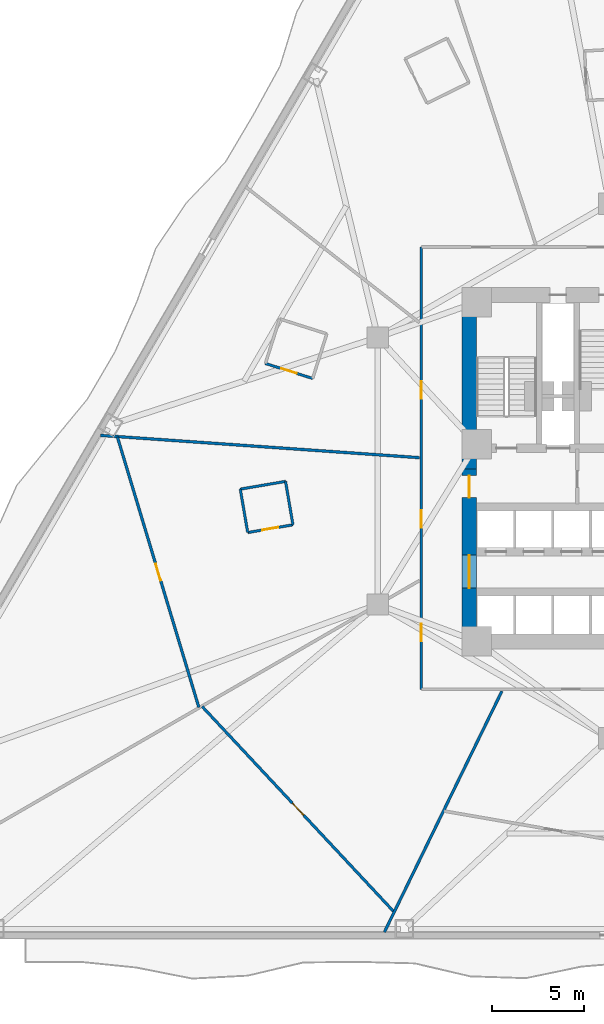
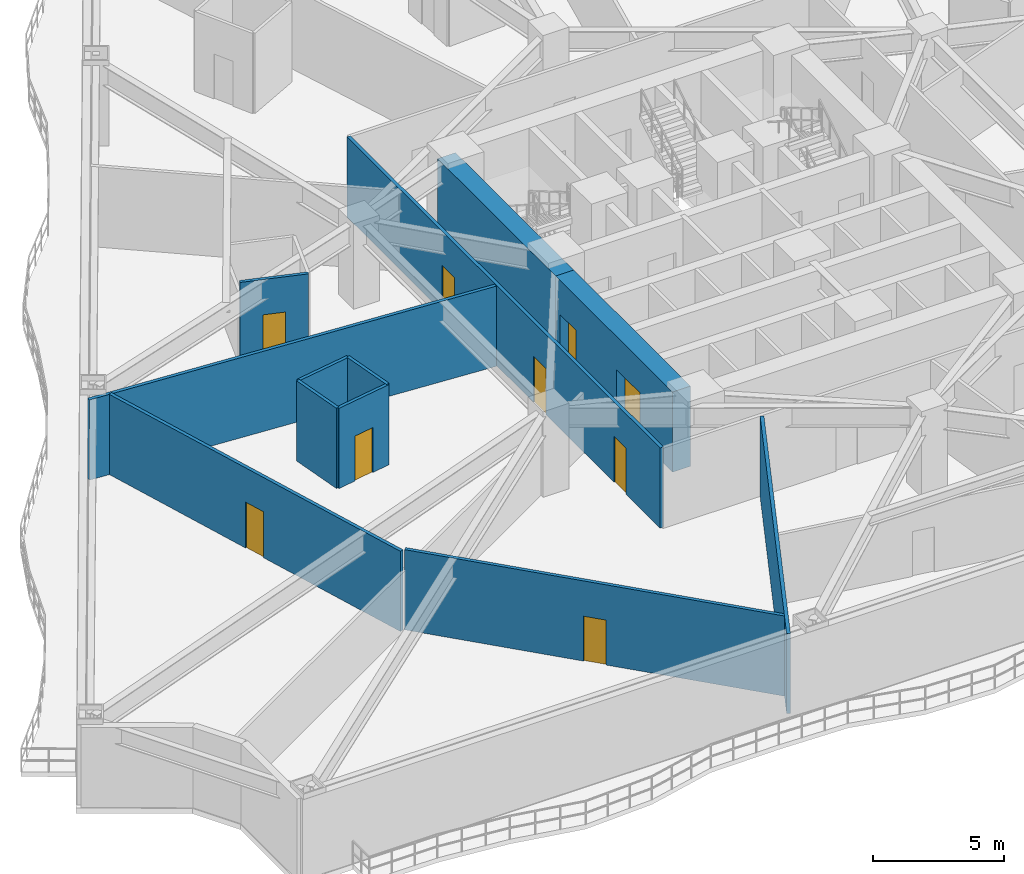
# One storey, part 3 of 12: 12 walls, 9 doors, 9 openings.
"""IFC4 building model written with IfcOpenShell, lengths in metres."""

import ifcopenshell
import ifcopenshell.guid

model = None  # the IFC model being written
_history = None  # IfcOwnerHistory: only IFC2X3 demands one
_inside = {}  # id of a spatial element -> (the spatial element, [elements in it])
_under = {}  # id of a project, library or spatial element -> (it, [spatial elements below it])
_declared = {}  # id of a project -> (the project, [libraries it declares])
_typed = {}  # id of a type object -> (the type object, [elements of that type])
_made_of = {}  # id of a material, layer set ... -> (it, [elements and type objects made of it])


def new_model(schema):
    """Start an empty IFC model of exactly this schema.

    Asked for "IFC4X3", IfcOpenShell would pick the latest addendum, in which some entities
    have other attributes; the version numbers below select the first issue.
    IFC2X3 requires an IfcOwnerHistory on every rooted entity: one is made here for all.
    """
    global model, _history
    if schema == "IFC4X3":
        model = ifcopenshell.file(schema_version=(4, 3, 0, 0))
    else:
        model = ifcopenshell.file(schema=schema)
    _inside.clear()
    _under.clear()
    _declared.clear()
    _typed.clear()
    _made_of.clear()
    _history = None
    if model.schema == "IFC2X3":
        org = make("IfcOrganization", Name="unknown")
        user = make(
            "IfcPersonAndOrganization",
            ThePerson=make("IfcPerson", FamilyName="unknown"),
            TheOrganization=org,
        )
        app = make(
            "IfcApplication",
            ApplicationDeveloper=org,
            Version="unknown",
            ApplicationFullName="unknown",
            ApplicationIdentifier="unknown",
        )
        _history = make(
            "IfcOwnerHistory",
            OwningUser=user,
            OwningApplication=app,
            ChangeAction="ADDED",
            CreationDate=0,
        )
    return model


def make(cls, **values):
    """One entity of the class cls with the attributes given. An attribute that is None is left unset."""
    return model.create_entity(
        cls, **{name: value for name, value in values.items() if value is not None}
    )


def rooted(cls, **values):
    """An entity with a GlobalId (a new one), such as an element, a storey or a relation."""
    return make(cls, GlobalId=ifcopenshell.guid.new(), OwnerHistory=_history, **values)


def si_unit(unit_type, name, prefix=None):
    """IfcSIUnit, for example si_unit("LENGTHUNIT", "METRE", prefix="MILLI")."""
    return make("IfcSIUnit", UnitType=unit_type, Prefix=prefix, Name=name)


def assignment(units):
    """IfcUnitAssignment: the units of a project."""
    return None if units is None else make("IfcUnitAssignment", Units=units)


def point(xyz):
    """IfcCartesianPoint."""
    return None if xyz is None else make("IfcCartesianPoint", Coordinates=xyz)


def direction(xyz):
    """IfcDirection."""
    return None if xyz is None else make("IfcDirection", DirectionRatios=xyz)


def frame(location, z_axis=None, x_axis=None):
    """IfcAxis2Placement3D, a coordinate frame: its origin and axes. An axis left out is left unset."""
    return make(
        "IfcAxis2Placement3D",
        Location=point(location),
        Axis=direction(z_axis),
        RefDirection=direction(x_axis),
    )


def frame_2d(location, x_axis=None):
    """IfcAxis2Placement2D, a coordinate frame in the plane: its origin and x axis."""
    return make(
        "IfcAxis2Placement2D", Location=point(location), RefDirection=direction(x_axis)
    )


def origin():
    """The frame at (0, 0, 0) with its axes left unset."""
    return frame((0.0, 0.0, 0.0))


def place(relative_to, where):
    """IfcLocalPlacement: puts the frame where relative to a parent placement (None: the world)."""
    return make(
        "IfcLocalPlacement", PlacementRelTo=relative_to, RelativePlacement=where
    )


def context(
    kind, dimensions, precision=None, world=None, true_north=None, identifier=None
):
    """IfcGeometricRepresentationContext, for example the 3D "Model" context."""
    return make(
        "IfcGeometricRepresentationContext",
        ContextIdentifier=identifier,
        ContextType=kind,
        CoordinateSpaceDimension=dimensions,
        Precision=precision,
        WorldCoordinateSystem=world,
        TrueNorth=true_north,
    )


def subcontext(parent, identifier, kind, view, scale=None):
    """IfcGeometricRepresentationSubContext, for example "Body" below "Model"."""
    return make(
        "IfcGeometricRepresentationSubContext",
        ContextIdentifier=identifier,
        ContextType=kind,
        ParentContext=parent,
        TargetScale=scale,
        TargetView=view,
    )


def project(units=None, contexts=None):
    """IfcProject with its units and contexts."""
    return rooted(
        "IfcProject",
        Name="project",
        RepresentationContexts=contexts,
        UnitsInContext=assignment(units),
    )


def spatial(cls, under=None, at=None, **own):
    """A site, building, storey or space (cls), placed at a placement, below another one or the project."""
    s = rooted(cls, ObjectPlacement=at, **own)
    if under is not None:
        _under.setdefault(under.id(), (under, []))[1].append(s)
    return s


def profile(cls, at=None, kind="AREA", **sizes):
    """A parametric profile (cls). Its sizes go by their IFC names, for example OverallWidth=200.0."""
    return make(cls, ProfileType=kind, Position=at, **sizes)


def rectangle(**sizes):
    """IfcRectangleProfileDef."""
    return profile("IfcRectangleProfileDef", **sizes)


def extrude(swept, where, along, depth):
    """IfcExtrudedAreaSolid: the profile swept, set in the frame where, extruded along a direction by depth."""
    return make(
        "IfcExtrudedAreaSolid",
        SweptArea=swept,
        Position=where,
        ExtrudedDirection=direction(along),
        Depth=depth,
    )


def shape(context_of_items, identifier, shape_type, items):
    """IfcShapeRepresentation: the items that make up one representation, for example the "Body"."""
    return make(
        "IfcShapeRepresentation",
        ContextOfItems=context_of_items,
        RepresentationIdentifier=identifier,
        RepresentationType=shape_type,
        Items=items,
    )


def material(Name=None, Category=None):
    """IfcMaterial."""
    return make("IfcMaterial", Name=Name, Category=Category)


def layer(
    of_material, thickness, ventilated=None, Name=None, Category=None, Priority=None
):
    """IfcMaterialLayer: one layer of a wall or slab, of a material (None: an air gap)."""
    return make(
        "IfcMaterialLayer",
        Material=of_material,
        LayerThickness=thickness,
        IsVentilated=ventilated,
        Name=Name,
        Category=Category,
        Priority=Priority,
    )


def layer_set(layers, Name=None):
    """IfcMaterialLayerSet."""
    return make("IfcMaterialLayerSet", MaterialLayers=layers, LayerSetName=Name)


def made_of(thing, what):
    """Note that an element or type object is made of a material, layer set ...; save() writes the relation."""
    if what is not None:
        _made_of.setdefault(what.id(), (what, []))[1].append(thing)
    return thing


def type_object(cls, material=None, **own):
    """A type object (cls), such as IfcWallType, which elements share."""
    return made_of(rooted(cls, **own), material)


def element(
    cls,
    number,
    at=None,
    inside=None,
    cuts=None,
    type_object=None,
    material=None,
    context=None,
    identifier="Body",
    shape_type=None,
    held_by="IfcProductDefinitionShape",
    body=None,
    shapes=None,
    **own,
):
    """One element of the class cls, such as IfcWall. Its Tag is "e" and its number.

    at: its placement. inside: the storey or other place that contains it. cuts: it is an
    opening in that element (IfcRelVoidsElement). A single representation is given by context,
    identifier, shape_type and body (its items); several are given by shapes. held_by: the class
    of the entity that holds the representations. save() writes the other relations.
    """
    e = rooted(cls, Tag="e%d" % number, ObjectPlacement=at, **own)
    if body is not None:
        shapes = [shape(context, identifier, shape_type, body)]
    if shapes is not None:
        e.Representation = make(held_by, Representations=shapes)
    if inside is not None:
        _inside.setdefault(inside.id(), (inside, []))[1].append(e)
    if cuts is not None:
        rooted(
            "IfcRelVoidsElement", RelatingBuildingElement=cuts, RelatedOpeningElement=e
        )
    if type_object is not None:
        _typed.setdefault(type_object.id(), (type_object, []))[1].append(e)
    return made_of(e, material)


def fill(opening, filler):
    """IfcRelFillsElement: the door or window that sits in an opening."""
    return rooted(
        "IfcRelFillsElement",
        RelatingOpeningElement=opening,
        RelatedBuildingElement=filler,
    )


def aggregate(whole, parts):
    """IfcRelAggregates: a whole, such as a stair, and the parts it consists of."""
    return rooted("IfcRelAggregates", RelatingObject=whole, RelatedObjects=parts)


def save(model, path):
    """Write the relations noted so far, then the file.

    IfcRelAggregates (storeys below a building ...), IfcRelContainedInSpatialStructure (elements
    in a storey), IfcRelDefinesByType, IfcRelAssociatesMaterial and IfcRelDeclares: one each for
    every whole, place, type object, material and project.
    """
    for whole, parts in _under.values():
        aggregate(whole, parts)
    for where, things in _inside.values():
        rooted(
            "IfcRelContainedInSpatialStructure",
            RelatedElements=things,
            RelatingStructure=where,
        )
    for kind, things in _typed.values():
        rooted("IfcRelDefinesByType", RelatedObjects=things, RelatingType=kind)
    for what, things in _made_of.values():
        rooted("IfcRelAssociatesMaterial", RelatedObjects=things, RelatingMaterial=what)
    for by, libraries in _declared.values():
        rooted("IfcRelDeclares", RelatingContext=by, RelatedDefinitions=libraries)
    model.write(path)


model = new_model("IFC4")

# Units and contexts
model_context = context("Model", 3, precision=1e-05, world=origin(), true_north=direction((0.0, 1.0)))
body_context = subcontext(model_context, "Body", "Model", "MODEL_VIEW")
ifc_project = project(units=[si_unit("LENGTHUNIT", "METRE"), si_unit("AREAUNIT", "SQUARE_METRE"), si_unit("VOLUMEUNIT", "CUBIC_METRE"), si_unit("PLANEANGLEUNIT", "RADIAN"), si_unit("MASSUNIT", "GRAM", prefix="KILO")], contexts=[model_context])

# Site, building, storey
site_placement = place(None, origin())
site = spatial("IfcSite", under=ifc_project, at=site_placement, CompositionType="ELEMENT")
building_placement = place(site_placement, origin())
building = spatial("IfcBuilding", under=site, at=building_placement, Name="Apsidion Concourse Tower", CompositionType="ELEMENT")
storey_placement = place(building_placement, frame((0.0, 0.0, 50.39990234375)))
storey = spatial("IfcBuildingStorey", under=building, at=storey_placement, Name="L10", CompositionType="ELEMENT", Elevation=50.39990234375)

# Walls
ifc_material_1 = material(Name="Gypsum plasterboard partition")
ifc_layer_1 = layer(ifc_material_1, 0.139892578125)
ifc_layer_set_1 = layer_set([ifc_layer_1], Name="Gypsum plasterboard partition")
wall_type_1 = type_object("IfcWallType", Name="WL-INT-PAR-140", PredefinedType="PARTITIONING", material=ifc_layer_set_1)
wall_1_placement = place(storey_placement, frame((-17.56884765625, -0.56640625, 0.0), z_axis=(0.0, 0.0, 1.0), x_axis=(-0.985693546415, -0.168547419306, 0.0)))
element("IfcWall", 1, at=wall_1_placement, inside=storey, type_object=wall_type_1, Name="L10 Interior Partition WL-L10-POD-HKAWC-S1", PredefinedType="PARTITIONING", context=body_context, shape_type="SweptSolid", body=[
    extrude(rectangle(XDim=2.489990234375, YDim=0.139892578125, at=frame_2d((1.2451171875, 0.0))), origin(), (0.0, 0.0, 1.0), 3.75),
])
wall_2_placement = place(storey_placement, frame((-20.023193359375, -0.986083984375, 0.0), z_axis=(0.0, 0.0, 1.0), x_axis=(0.168456250153, -0.98570913143, 0.0)))
element("IfcWall", 2, at=wall_2_placement, inside=storey, type_object=wall_type_1, Name="L10 Interior Partition WL-L10-POD-HKAWC-S2", PredefinedType="PARTITIONING", context=body_context, shape_type="SweptSolid", body=[
    extrude(rectangle(XDim=2.389892578125, YDim=0.139892578125, at=frame_2d((1.19482421875, 0.0))), origin(), (0.0, 0.0, 1.0), 3.75),
])

# Wall, opening, door
wall_3_placement = place(storey_placement, frame((-19.62060546875, -3.341796875, 0.0), z_axis=(0.0, 0.0, 1.0), x_axis=(0.985709831675, 0.168452152673, 0.0)))
wall_3 = element("IfcWall", 3, at=wall_3_placement, inside=storey, type_object=wall_type_1, Name="L10 Interior Partition WL-L10-POD-HKAWC-S3", PredefinedType="PARTITIONING", context=body_context, shape_type="SweptSolid", body=[
    extrude(rectangle(XDim=2.489990234375, YDim=0.139892578125, at=frame_2d((1.2451171875, 0.0))), origin(), (0.0, 0.0, 1.0), 3.75),
])
opening_1_placement = place(wall_3_placement, frame((0.804931640625, 0.0, 0.0)))
opening_1 = element("IfcOpeningElement", 4, at=opening_1_placement, cuts=wall_3, Name="Opening D-03L", PredefinedType="OPENING", context=body_context, shape_type="SweptSolid", body=[
    extrude(rectangle(XDim=0.8798828125, YDim=2.10009765625, at=frame_2d((0.43994140625, 1.050048828125))), frame((0.0, 0.080078125, 0.0), z_axis=(0.0, -1.0, 0.0), x_axis=(1.0, 0.0, 0.0)), (0.0, 0.0, 1.0), 0.159912109375),
])
ifc_material_2 = material(Name="Anodised aluminium EN AW-6063 T6", Category="aluminium")
door_type_1 = type_object("IfcDoorType", Name="DR-INT-D03L", OperationType="SINGLE_SWING_LEFT", PredefinedType="DOOR", material=ifc_material_2)
door_1_placement = place(opening_1_placement, origin())
door_1 = element("IfcDoor", 5, at=door_1_placement, inside=storey, type_object=door_type_1, Name="L10 Hotel Accessible WC Door HKAWC", OperationType="SINGLE_SWING_LEFT", OverallHeight=2.10009765625, OverallWidth=0.8798828125, PredefinedType="DOOR", context=body_context, shape_type="SweptSolid", body=[
    extrude(rectangle(XDim=0.8798828125, YDim=2.10009765625, at=frame_2d((0.43994140625, 1.050048828125))), frame((0.0, 0.02490234375, 0.0), z_axis=(0.0, -1.0, 0.0), x_axis=(1.0, 0.0, 0.0)), (0.0, 0.0, 1.0), 0.050048828125),
])
fill(opening_1, door_1)

# Wall
wall_4_placement = place(storey_placement, frame((-17.166259765625, -2.92236328125, 0.0), z_axis=(0.0, 0.0, 1.0), x_axis=(-0.168439288847, 0.985712029942, 0.0)))
element("IfcWall", 6, at=wall_4_placement, inside=storey, type_object=wall_type_1, Name="L10 Interior Partition WL-L10-POD-HKAWC-S4", PredefinedType="PARTITIONING", context=body_context, shape_type="SweptSolid", body=[
    extrude(rectangle(XDim=2.39013671875, YDim=0.139892578125, at=frame_2d((1.195068359375, 0.0))), origin(), (0.0, 0.0, 1.0), 3.75),
])

# Wall, opening, door
wall_5_placement = place(storey_placement, frame((-18.660400390625, 5.831787109375, 0.0), z_axis=(0.0, 0.0, 1.0), x_axis=(0.953210227692, -0.302308223216, 0.0)))
wall_5 = element("IfcWall", 7, at=wall_5_placement, inside=storey, type_object=wall_type_1, Name="L10 Interior Partition WL-L10-POD-ENS10-S3", PredefinedType="PARTITIONING", context=body_context, shape_type="SweptSolid", body=[
    extrude(rectangle(XDim=2.690185546875, YDim=0.139892578125, at=frame_2d((1.34521484375, 0.0))), origin(), (0.0, 0.0, 1.0), 3.75),
])
opening_2_placement = place(wall_5_placement, frame((0.905029296875, 0.0, 0.0)))
opening_2 = element("IfcOpeningElement", 8, at=opening_2_placement, cuts=wall_5, Name="Opening D-03L", PredefinedType="OPENING", context=body_context, shape_type="SweptSolid", body=[
    extrude(rectangle(XDim=0.8798828125, YDim=2.10009765625, at=frame_2d((0.43994140625, 1.050048828125))), frame((0.0, 0.080078125, 0.0), z_axis=(0.0, -1.0, 0.0), x_axis=(1.0, 0.0, 0.0)), (0.0, 0.0, 1.0), 0.159912109375),
])
door_2_placement = place(opening_2_placement, origin())
door_2 = element("IfcDoor", 9, at=door_2_placement, inside=storey, type_object=door_type_1, Name="L10 Guest En-Suite Bathroom Door ENS10", OperationType="SINGLE_SWING_LEFT", OverallHeight=2.10009765625, OverallWidth=0.8798828125, PredefinedType="DOOR", context=body_context, shape_type="SweptSolid", body=[
    extrude(rectangle(XDim=0.8798828125, YDim=2.10009765625, at=frame_2d((0.43994140625, 1.050048828125))), frame((0.0, 0.02490234375, 0.0), z_axis=(0.0, -1.0, 0.0), x_axis=(1.0, 0.0, 0.0)), (0.0, 0.0, 1.0), 0.050048828125),
])
fill(opening_2, door_2)

# Wall, openings, doors
ifc_layer_2 = layer(ifc_material_1, 0.14990234375)
ifc_layer_set_2 = layer_set([ifc_layer_2], Name="Gypsum plasterboard partition")
wall_type_2 = type_object("IfcWallType", Name="WL-INT-PAR-150", PredefinedType="PARTITIONING", material=ifc_layer_set_2)
wall_6_placement = place(storey_placement, frame((-10.199951171875, -11.85009765625, 0.0), z_axis=(0.0, 0.0, 1.0), x_axis=(0.0, 1.0, 0.0)))
wall_6 = element("IfcWall", 10, at=wall_6_placement, inside=storey, type_object=wall_type_2, Name="L10 Interior Partition WL-L10-CORR-04", PredefinedType="PARTITIONING", context=body_context, shape_type="SweptSolid", body=[
    extrude(rectangle(XDim=24.0, YDim=0.14990234375, at=frame_2d((12.0, 0.0))), origin(), (0.0, 0.0, 1.0), 3.75),
])
opening_3_placement = place(wall_6_placement, frame((8.764892578125, 0.0, 0.0)))
opening_3 = element("IfcOpeningElement", 11, at=opening_3_placement, cuts=wall_6, Name="Opening D-01L", PredefinedType="OPENING", context=body_context, shape_type="SweptSolid", body=[
    extrude(rectangle(XDim=0.949951171875, YDim=2.14990234375, at=frame_2d((0.47509765625, 1.074951171875))), frame((0.0, 0.0849609375, 0.0), z_axis=(0.0, -1.0, 0.0), x_axis=(1.0, 0.0, 0.0)), (0.0, 0.0, 1.0), 0.169921875),
])
opening_4_placement = place(wall_6_placement, frame((2.604248046875, 0.0, 0.0)))
opening_4 = element("IfcOpeningElement", 12, at=opening_4_placement, cuts=wall_6, Name="Opening D-01R", PredefinedType="OPENING", context=body_context, shape_type="SweptSolid", body=[
    extrude(rectangle(XDim=0.949951171875, YDim=2.14990234375, at=frame_2d((0.47509765625, 1.074951171875))), frame((0.0, 0.0849609375, 0.0), z_axis=(0.0, -1.0, 0.0), x_axis=(1.0, 0.0, 0.0)), (0.0, 0.0, 1.0), 0.169921875),
])
opening_5_placement = place(wall_6_placement, frame((15.758544921875, 0.0, 0.0)))
opening_5 = element("IfcOpeningElement", 13, at=opening_5_placement, cuts=wall_6, Name="Opening D-01L", PredefinedType="OPENING", context=body_context, shape_type="SweptSolid", body=[
    extrude(rectangle(XDim=0.949951171875, YDim=2.14990234375, at=frame_2d((0.47509765625, 1.074951171875))), frame((0.0, 0.0849609375, 0.0), z_axis=(0.0, -1.0, 0.0), x_axis=(1.0, 0.0, 0.0)), (0.0, 0.0, 1.0), 0.169921875),
])
ifc_material_3 = material(Name="Brushed stainless steel 316", Category="steel")
door_type_2 = type_object("IfcDoorType", Name="DR-INT-D01L", OperationType="SINGLE_SWING_LEFT", PredefinedType="DOOR", material=ifc_material_3)
door_3_placement = place(opening_3_placement, origin())
door_3 = element("IfcDoor", 14, at=door_3_placement, inside=storey, type_object=door_type_2, Name="L10 Corridor Entry Door 01", OperationType="SINGLE_SWING_LEFT", OverallHeight=2.14990234375, OverallWidth=0.949951171875, PredefinedType="DOOR", context=body_context, shape_type="SweptSolid", body=[
    extrude(rectangle(XDim=0.949951171875, YDim=2.14990234375, at=frame_2d((0.47509765625, 1.074951171875))), frame((0.0, 0.02490234375, 0.0), z_axis=(0.0, -1.0, 0.0), x_axis=(1.0, 0.0, 0.0)), (0.0, 0.0, 1.0), 0.050048828125),
])
fill(opening_3, door_3)
door_4_placement = place(opening_5_placement, origin())
door_4 = element("IfcDoor", 15, at=door_4_placement, inside=storey, type_object=door_type_2, Name="L10 Corridor Entry Door 11", OperationType="SINGLE_SWING_LEFT", OverallHeight=2.14990234375, OverallWidth=0.949951171875, PredefinedType="DOOR", context=body_context, shape_type="SweptSolid", body=[
    extrude(rectangle(XDim=0.949951171875, YDim=2.14990234375, at=frame_2d((0.47509765625, 1.074951171875))), frame((0.0, 0.02490234375, 0.0), z_axis=(0.0, -1.0, 0.0), x_axis=(1.0, 0.0, 0.0)), (0.0, 0.0, 1.0), 0.050048828125),
])
fill(opening_5, door_4)
door_type_3 = type_object("IfcDoorType", Name="DR-INT-D01R", OperationType="SINGLE_SWING_RIGHT", PredefinedType="DOOR", material=ifc_material_3)
door_5_placement = place(opening_4_placement, origin())
door_5 = element("IfcDoor", 16, at=door_5_placement, inside=storey, type_object=door_type_3, Name="L10 Corridor Entry Door 02", OperationType="SINGLE_SWING_RIGHT", OverallHeight=2.14990234375, OverallWidth=0.949951171875, PredefinedType="DOOR", context=body_context, shape_type="SweptSolid", body=[
    extrude(rectangle(XDim=0.949951171875, YDim=2.14990234375, at=frame_2d((0.47509765625, 1.074951171875))), frame((0.0, 0.02490234375, 0.0), z_axis=(0.0, -1.0, 0.0), x_axis=(1.0, 0.0, 0.0)), (0.0, 0.0, 1.0), 0.050048828125),
])
fill(opening_4, door_5)

# Walls
wall_7_placement = place(storey_placement, frame((-10.304931640625, 0.720703125, 0.0), z_axis=(0.0, 0.0, 1.0), x_axis=(-0.997564495515, 0.069750106007, 0.0)))
element("IfcWall", 17, at=wall_7_placement, inside=storey, type_object=wall_type_2, Name="L10 Interior Partition WL-L10-RAD-06-1", PredefinedType="PARTITIONING", context=body_context, shape_type="SweptSolid", body=[
    extrude(rectangle(XDim=17.340087890625, YDim=0.14990234375, at=frame_2d((8.669921875, 0.0))), origin(), (0.0, 0.0, 1.0), 3.75),
])
wall_8_placement = place(storey_placement, frame((-5.830810546875, -11.955078125, 0.0), z_axis=(0.0, 0.0, 1.0), x_axis=(-0.438380960837, -0.898789259602, 0.0)))
element("IfcWall", 18, at=wall_8_placement, inside=storey, type_object=wall_type_2, Name="L10 Interior Partition WL-L10-RAD-08-1", PredefinedType="PARTITIONING", context=body_context, shape_type="SweptSolid", body=[
    extrude(rectangle(XDim=14.54150390625, YDim=0.14990234375, at=frame_2d((7.270751953125, 0.0))), origin(), (0.0, 0.0, 1.0), 3.75),
])

# Wall, opening, door
wall_9_placement = place(storey_placement, frame((-26.690673828125, 1.84130859375, 0.0), z_axis=(0.0, 0.0, 1.0), x_axis=(0.28842068966, -0.957503788909, 0.0)))
wall_9 = element("IfcWall", 19, at=wall_9_placement, inside=storey, type_object=wall_type_2, Name="L10 Interior Partition WL-L10-CHD-HKWC", PredefinedType="PARTITIONING", context=body_context, shape_type="SweptSolid", body=[
    extrude(rectangle(XDim=15.322021484375, YDim=0.14990234375, at=frame_2d((7.6611328125, 0.0))), origin(), (0.0, 0.0, 1.0), 3.75),
])
opening_6_placement = place(wall_9_placement, frame((7.18603515625, 0.0, 0.0)))
opening_6 = element("IfcOpeningElement", 20, at=opening_6_placement, cuts=wall_9, Name="Opening D-04R", PredefinedType="OPENING", context=body_context, shape_type="SweptSolid", body=[
    extrude(rectangle(XDim=0.949951171875, YDim=2.14990234375, at=frame_2d((0.47509765625, 1.074951171875))), frame((0.0, 0.0849609375, 0.0), z_axis=(0.0, -1.0, 0.0), x_axis=(1.0, 0.0, 0.0)), (0.0, 0.0, 1.0), 0.169921875),
])
door_type_4 = type_object("IfcDoorType", Name="DR-INT-D04R", OperationType="SINGLE_SWING_RIGHT", PredefinedType="DOOR", material=ifc_material_3)
door_6_placement = place(opening_6_placement, origin())
door_6 = element("IfcDoor", 21, at=door_6_placement, inside=storey, type_object=door_type_4, Name="L10 Suite Connecting Door HKWC", OperationType="SINGLE_SWING_RIGHT", OverallHeight=2.14990234375, OverallWidth=0.949951171875, PredefinedType="DOOR", context=body_context, shape_type="SweptSolid", body=[
    extrude(rectangle(XDim=0.949951171875, YDim=2.14990234375, at=frame_2d((0.47509765625, 1.074951171875))), frame((0.0, 0.02490234375, 0.0), z_axis=(0.0, -1.0, 0.0), x_axis=(1.0, 0.0, 0.0)), (0.0, 0.0, 1.0), 0.050048828125),
])
fill(opening_6, door_6)

wall_10_placement = place(storey_placement, frame((-22.09130859375, -12.783203125, 0.0), z_axis=(0.0, 0.0, 1.0), x_axis=(0.682691040269, -0.730707153062, 0.0)))
wall_10 = element("IfcWall", 22, at=wall_10_placement, inside=storey, type_object=wall_type_2, Name="L10 Interior Partition WL-L10-CHD-HXS01", PredefinedType="PARTITIONING", context=body_context, shape_type="SweptSolid", body=[
    extrude(rectangle(XDim=15.2333984375, YDim=0.14990234375, at=frame_2d((7.61669921875, 0.0))), origin(), (0.0, 0.0, 1.0), 3.75),
])
opening_7_placement = place(wall_10_placement, frame((7.16650390625, 0.0, 0.0)))
opening_7 = element("IfcOpeningElement", 23, at=opening_7_placement, cuts=wall_10, Name="Opening D-02L", PredefinedType="OPENING", context=body_context, shape_type="SweptSolid", body=[
    extrude(rectangle(XDim=0.89990234375, YDim=2.10009765625, at=frame_2d((0.449951171875, 1.050048828125))), frame((0.0, 0.0849609375, 0.0), z_axis=(0.0, -1.0, 0.0), x_axis=(1.0, 0.0, 0.0)), (0.0, 0.0, 1.0), 0.169921875),
])
door_type_5 = type_object("IfcDoorType", Name="DR-INT-D02L", OperationType="SINGLE_SWING_LEFT", PredefinedType="DOOR", material=ifc_material_2)
door_7_placement = place(opening_7_placement, origin())
door_7 = element("IfcDoor", 24, at=door_7_placement, inside=storey, type_object=door_type_5, Name="L10 Suite Connecting Door HXS01", OperationType="SINGLE_SWING_LEFT", OverallHeight=2.10009765625, OverallWidth=0.89990234375, PredefinedType="DOOR", context=body_context, shape_type="SweptSolid", body=[
    extrude(rectangle(XDim=0.89990234375, YDim=2.10009765625, at=frame_2d((0.449951171875, 1.050048828125))), frame((0.0, 0.02490234375, 0.0), z_axis=(0.0, -1.0, 0.0), x_axis=(1.0, 0.0, 0.0)), (0.0, 0.0, 1.0), 0.050048828125),
])
fill(opening_7, door_7)

# Wall
ifc_material_4 = material(Name="Concrete C60/75", Category="concrete")
ifc_layer_3 = layer(ifc_material_4, 0.800048828125)
ifc_layer_set_3 = layer_set([ifc_layer_3], Name="Concrete C60/75")
wall_type_3 = type_object("IfcWallType", Name="WL-SH-800", PredefinedType="SHEAR", material=ifc_layer_set_3)
wall_11_placement = place(storey_placement, frame((-7.60009765625, 0.10009765625, 0.0), z_axis=(0.0, 0.0, 1.0), x_axis=(0.0, 1.0, 0.0)))
element("IfcWall", 25, at=wall_11_placement, inside=storey, type_object=wall_type_3, Name="L10 Central Core Shear Wall WN", PredefinedType="SHEAR", context=body_context, shape_type="SweptSolid", body=[
    extrude(rectangle(XDim=9.0498046875, YDim=0.800048828125, at=frame_2d((4.52490234375, 0.0))), origin(), (0.0, 0.0, 1.0), 3.75),
])

# Wall, openings, doors
wall_12_placement = place(storey_placement, frame((-7.60009765625, -8.85009765625, 0.0), z_axis=(0.0, 0.0, 1.0), x_axis=(0.0, 1.0, 0.0)))
wall_12 = element("IfcWall", 26, at=wall_12_placement, inside=storey, type_object=wall_type_3, Name="L10 Central Core Shear Wall WS", PredefinedType="SHEAR", context=body_context, shape_type="SweptSolid", body=[
    extrude(rectangle(XDim=8.9501953125, YDim=0.800048828125, at=frame_2d((4.47509765625, 0.0))), origin(), (0.0, 0.0, 1.0), 3.75),
])
opening_8_placement = place(wall_12_placement, frame((2.489990234375, 0.0, 0.0)))
opening_8 = element("IfcOpeningElement", 27, at=opening_8_placement, cuts=wall_12, Name="Opening D-06D", PredefinedType="OPENING", context=body_context, shape_type="SweptSolid", body=[
    extrude(rectangle(XDim=1.800048828125, YDim=2.199951171875, at=frame_2d((0.89990234375, 1.10009765625))), frame((0.0, 0.41015625, 0.0), z_axis=(0.0, -1.0, 0.0), x_axis=(1.0, 0.0, 0.0)), (0.0, 0.0, 1.0), 0.820068359375),
])
opening_9_placement = place(wall_12_placement, frame((7.39990234375, 0.0, 0.0)))
opening_9 = element("IfcOpeningElement", 28, at=opening_9_placement, cuts=wall_12, Name="Opening D-FFL", PredefinedType="OPENING", context=body_context, shape_type="SweptSolid", body=[
    extrude(rectangle(XDim=1.199951171875, YDim=2.14990234375, at=frame_2d((0.60009765625, 1.074951171875))), frame((0.0, 0.41015625, 0.0), z_axis=(0.0, -1.0, 0.0), x_axis=(1.0, 0.0, 0.0)), (0.0, 0.0, 1.0), 0.820068359375),
])
door_type_6 = type_object("IfcDoorType", Name="DR-INT-D06D", OperationType="DOUBLE_DOOR_SINGLE_SWING", PredefinedType="DOOR", material=ifc_material_3)
door_8_placement = place(opening_8_placement, origin())
door_8 = element("IfcDoor", 29, at=door_8_placement, inside=storey, type_object=door_type_6, Name="L10 Passenger Lift Lobby WS Portal Door", OperationType="DOUBLE_DOOR_SINGLE_SWING", OverallHeight=2.199951171875, OverallWidth=1.800048828125, PredefinedType="DOOR", context=body_context, shape_type="SweptSolid", body=[
    extrude(rectangle(XDim=1.800048828125, YDim=2.199951171875, at=frame_2d((0.89990234375, 1.10009765625))), frame((0.0, 0.02490234375, 0.0), z_axis=(0.0, -1.0, 0.0), x_axis=(1.0, 0.0, 0.0)), (0.0, 0.0, 1.0), 0.050048828125),
])
fill(opening_8, door_8)
door_type_7 = type_object("IfcDoorType", Name="DR-INT-FFL", OperationType="SINGLE_SWING_LEFT", PredefinedType="DOOR", material=ifc_material_3)
door_9_placement = place(opening_9_placement, origin())
door_9 = element("IfcDoor", 30, at=door_9_placement, inside=storey, type_object=door_type_7, Name="L10 Firefighting Lift Lobby FF1 Door", OperationType="SINGLE_SWING_LEFT", OverallHeight=2.14990234375, OverallWidth=1.199951171875, PredefinedType="DOOR", context=body_context, shape_type="SweptSolid", body=[
    extrude(rectangle(XDim=1.199951171875, YDim=2.14990234375, at=frame_2d((0.60009765625, 1.074951171875))), frame((0.0, 0.02490234375, 0.0), z_axis=(0.0, -1.0, 0.0), x_axis=(1.0, 0.0, 0.0)), (0.0, 0.0, 1.0), 0.050048828125),
])
fill(opening_9, door_9)

save(model, "model.ifc")
